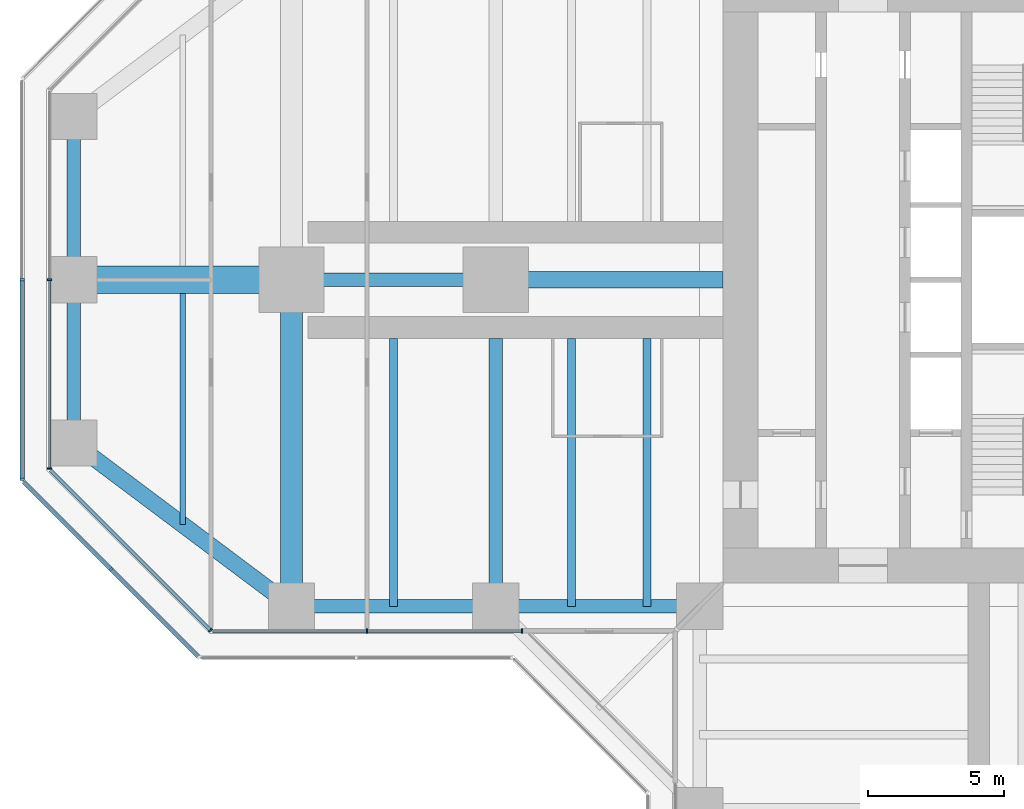
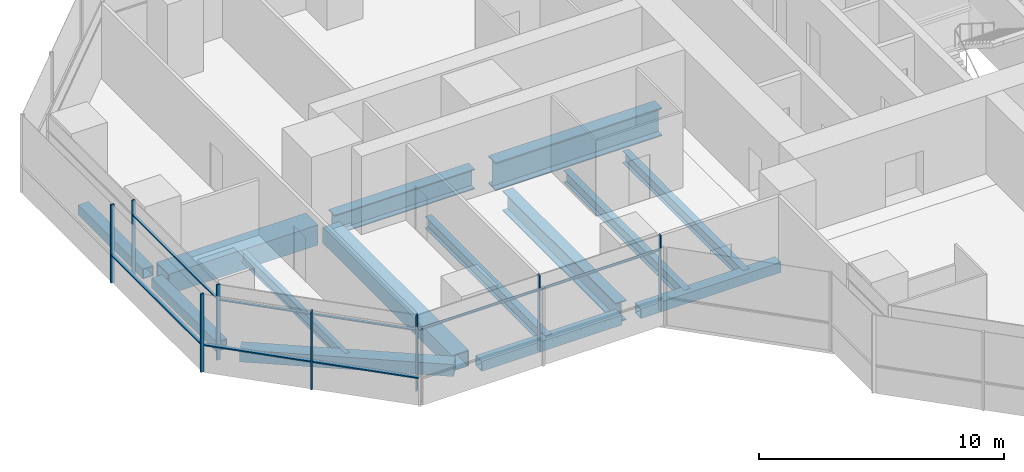
# One storey, part 3 of 20: 15 members, 14 beams, 5 elements without a shape of their own.
"""IFC4 building model written with IfcOpenShell, lengths in metres."""

import ifcopenshell
import ifcopenshell.guid

model = None  # the IFC model being written
_history = None  # IfcOwnerHistory: only IFC2X3 demands one
_inside = {}  # id of a spatial element -> (the spatial element, [elements in it])
_under = {}  # id of a project, library or spatial element -> (it, [spatial elements below it])
_declared = {}  # id of a project -> (the project, [libraries it declares])
_typed = {}  # id of a type object -> (the type object, [elements of that type])
_made_of = {}  # id of a material, layer set ... -> (it, [elements and type objects made of it])


def new_model(schema):
    """Start an empty IFC model of exactly this schema.

    Asked for "IFC4X3", IfcOpenShell would pick the latest addendum, in which some entities
    have other attributes; the version numbers below select the first issue.
    IFC2X3 requires an IfcOwnerHistory on every rooted entity: one is made here for all.
    """
    global model, _history
    if schema == "IFC4X3":
        model = ifcopenshell.file(schema_version=(4, 3, 0, 0))
    else:
        model = ifcopenshell.file(schema=schema)
    _inside.clear()
    _under.clear()
    _declared.clear()
    _typed.clear()
    _made_of.clear()
    _history = None
    if model.schema == "IFC2X3":
        org = make("IfcOrganization", Name="unknown")
        user = make(
            "IfcPersonAndOrganization",
            ThePerson=make("IfcPerson", FamilyName="unknown"),
            TheOrganization=org,
        )
        app = make(
            "IfcApplication",
            ApplicationDeveloper=org,
            Version="unknown",
            ApplicationFullName="unknown",
            ApplicationIdentifier="unknown",
        )
        _history = make(
            "IfcOwnerHistory",
            OwningUser=user,
            OwningApplication=app,
            ChangeAction="ADDED",
            CreationDate=0,
        )
    return model


def make(cls, **values):
    """One entity of the class cls with the attributes given. An attribute that is None is left unset."""
    return model.create_entity(
        cls, **{name: value for name, value in values.items() if value is not None}
    )


def rooted(cls, **values):
    """An entity with a GlobalId (a new one), such as an element, a storey or a relation."""
    return make(cls, GlobalId=ifcopenshell.guid.new(), OwnerHistory=_history, **values)


def si_unit(unit_type, name, prefix=None):
    """IfcSIUnit, for example si_unit("LENGTHUNIT", "METRE", prefix="MILLI")."""
    return make("IfcSIUnit", UnitType=unit_type, Prefix=prefix, Name=name)


def assignment(units):
    """IfcUnitAssignment: the units of a project."""
    return None if units is None else make("IfcUnitAssignment", Units=units)


def point(xyz):
    """IfcCartesianPoint."""
    return None if xyz is None else make("IfcCartesianPoint", Coordinates=xyz)


def direction(xyz):
    """IfcDirection."""
    return None if xyz is None else make("IfcDirection", DirectionRatios=xyz)


def frame(location, z_axis=None, x_axis=None):
    """IfcAxis2Placement3D, a coordinate frame: its origin and axes. An axis left out is left unset."""
    return make(
        "IfcAxis2Placement3D",
        Location=point(location),
        Axis=direction(z_axis),
        RefDirection=direction(x_axis),
    )


def frame_2d(location, x_axis=None):
    """IfcAxis2Placement2D, a coordinate frame in the plane: its origin and x axis."""
    return make(
        "IfcAxis2Placement2D", Location=point(location), RefDirection=direction(x_axis)
    )


def origin():
    """The frame at (0, 0, 0) with its axes left unset."""
    return frame((0.0, 0.0, 0.0))


def origin_2d():
    """The frame at (0, 0) in the plane with its x axis left unset."""
    return frame_2d((0.0, 0.0))


def place(relative_to, where):
    """IfcLocalPlacement: puts the frame where relative to a parent placement (None: the world)."""
    return make(
        "IfcLocalPlacement", PlacementRelTo=relative_to, RelativePlacement=where
    )


def context(
    kind, dimensions, precision=None, world=None, true_north=None, identifier=None
):
    """IfcGeometricRepresentationContext, for example the 3D "Model" context."""
    return make(
        "IfcGeometricRepresentationContext",
        ContextIdentifier=identifier,
        ContextType=kind,
        CoordinateSpaceDimension=dimensions,
        Precision=precision,
        WorldCoordinateSystem=world,
        TrueNorth=true_north,
    )


def subcontext(parent, identifier, kind, view, scale=None):
    """IfcGeometricRepresentationSubContext, for example "Body" below "Model"."""
    return make(
        "IfcGeometricRepresentationSubContext",
        ContextIdentifier=identifier,
        ContextType=kind,
        ParentContext=parent,
        TargetScale=scale,
        TargetView=view,
    )


def project(units=None, contexts=None):
    """IfcProject with its units and contexts."""
    return rooted(
        "IfcProject",
        Name="project",
        RepresentationContexts=contexts,
        UnitsInContext=assignment(units),
    )


def spatial(cls, under=None, at=None, **own):
    """A site, building, storey or space (cls), placed at a placement, below another one or the project."""
    s = rooted(cls, ObjectPlacement=at, **own)
    if under is not None:
        _under.setdefault(under.id(), (under, []))[1].append(s)
    return s


def profile(cls, at=None, kind="AREA", **sizes):
    """A parametric profile (cls). Its sizes go by their IFC names, for example OverallWidth=200.0."""
    return make(cls, ProfileType=kind, Position=at, **sizes)


def rectangle(**sizes):
    """IfcRectangleProfileDef."""
    return profile("IfcRectangleProfileDef", **sizes)


def hollow_rectangle(**sizes):
    """IfcRectangleHollowProfileDef."""
    return profile("IfcRectangleHollowProfileDef", **sizes)


def i_section(**sizes):
    """IfcIShapeProfileDef."""
    return profile("IfcIShapeProfileDef", **sizes)


def extrude(swept, where, along, depth):
    """IfcExtrudedAreaSolid: the profile swept, set in the frame where, extruded along a direction by depth."""
    return make(
        "IfcExtrudedAreaSolid",
        SweptArea=swept,
        Position=where,
        ExtrudedDirection=direction(along),
        Depth=depth,
    )


def shape(context_of_items, identifier, shape_type, items):
    """IfcShapeRepresentation: the items that make up one representation, for example the "Body"."""
    return make(
        "IfcShapeRepresentation",
        ContextOfItems=context_of_items,
        RepresentationIdentifier=identifier,
        RepresentationType=shape_type,
        Items=items,
    )


def material(Name=None, Category=None):
    """IfcMaterial."""
    return make("IfcMaterial", Name=Name, Category=Category)


def material_profile(
    of_material, cross_section, Name=None, Category=None, Priority=None
):
    """IfcMaterialProfile: a cross section and its material."""
    return make(
        "IfcMaterialProfile",
        Name=Name,
        Material=of_material,
        Profile=cross_section,
        Priority=Priority,
        Category=Category,
    )


def profile_set(profiles, Name=None, composite=None):
    """IfcMaterialProfileSet."""
    return make(
        "IfcMaterialProfileSet",
        Name=Name,
        MaterialProfiles=profiles,
        CompositeProfile=composite,
    )


def made_of(thing, what):
    """Note that an element or type object is made of a material, layer set ...; save() writes the relation."""
    if what is not None:
        _made_of.setdefault(what.id(), (what, []))[1].append(thing)
    return thing


def type_object(cls, material=None, **own):
    """A type object (cls), such as IfcWallType, which elements share."""
    return made_of(rooted(cls, **own), material)


def element(
    cls,
    number,
    at=None,
    inside=None,
    cuts=None,
    type_object=None,
    material=None,
    context=None,
    identifier="Body",
    shape_type=None,
    held_by="IfcProductDefinitionShape",
    body=None,
    shapes=None,
    **own,
):
    """One element of the class cls, such as IfcWall. Its Tag is "e" and its number.

    at: its placement. inside: the storey or other place that contains it. cuts: it is an
    opening in that element (IfcRelVoidsElement). A single representation is given by context,
    identifier, shape_type and body (its items); several are given by shapes. held_by: the class
    of the entity that holds the representations. save() writes the other relations.
    """
    e = rooted(cls, Tag="e%d" % number, ObjectPlacement=at, **own)
    if body is not None:
        shapes = [shape(context, identifier, shape_type, body)]
    if shapes is not None:
        e.Representation = make(held_by, Representations=shapes)
    if inside is not None:
        _inside.setdefault(inside.id(), (inside, []))[1].append(e)
    if cuts is not None:
        rooted(
            "IfcRelVoidsElement", RelatingBuildingElement=cuts, RelatedOpeningElement=e
        )
    if type_object is not None:
        _typed.setdefault(type_object.id(), (type_object, []))[1].append(e)
    return made_of(e, material)


def aggregate(whole, parts):
    """IfcRelAggregates: a whole, such as a stair, and the parts it consists of."""
    return rooted("IfcRelAggregates", RelatingObject=whole, RelatedObjects=parts)


def save(model, path):
    """Write the relations noted so far, then the file.

    IfcRelAggregates (storeys below a building ...), IfcRelContainedInSpatialStructure (elements
    in a storey), IfcRelDefinesByType, IfcRelAssociatesMaterial and IfcRelDeclares: one each for
    every whole, place, type object, material and project.
    """
    for whole, parts in _under.values():
        aggregate(whole, parts)
    for where, things in _inside.values():
        rooted(
            "IfcRelContainedInSpatialStructure",
            RelatedElements=things,
            RelatingStructure=where,
        )
    for kind, things in _typed.values():
        rooted("IfcRelDefinesByType", RelatedObjects=things, RelatingType=kind)
    for what, things in _made_of.values():
        rooted("IfcRelAssociatesMaterial", RelatedObjects=things, RelatingMaterial=what)
    for by, libraries in _declared.values():
        rooted("IfcRelDeclares", RelatingContext=by, RelatedDefinitions=libraries)
    model.write(path)


model = new_model("IFC4")

# Units and contexts
model_context = context("Model", 3, precision=1e-05, world=origin(), true_north=direction((0.0, 1.0)))
body_context = subcontext(model_context, "Body", "Model", "MODEL_VIEW")
ifc_project = project(units=[si_unit("LENGTHUNIT", "METRE"), si_unit("AREAUNIT", "SQUARE_METRE"), si_unit("VOLUMEUNIT", "CUBIC_METRE"), si_unit("PLANEANGLEUNIT", "RADIAN"), si_unit("MASSUNIT", "GRAM", prefix="KILO")], contexts=[model_context])

# Site, building, storey
site_placement = place(None, origin())
site = spatial("IfcSite", under=ifc_project, at=site_placement, CompositionType="ELEMENT")
building_placement = place(site_placement, origin())
building = spatial("IfcBuilding", under=site, at=building_placement, Name="Mizan Broadcast Tower", CompositionType="ELEMENT")
storey_placement = place(building_placement, frame((0.0, 0.0, 147.60009765625)))
storey = spatial("IfcBuildingStorey", under=building, at=storey_placement, Name="L33", CompositionType="ELEMENT", Elevation=147.60009765625)

# Beams
ifc_material_1 = material(Name="Steel S355", Category="steel")
ifc_material_profile_1 = material_profile(ifc_material_1, hollow_rectangle(XDim=0.5, YDim=0.5, WallThickness=0.030029296875, at=origin_2d()), Name="BOX 500x500x30")
ifc_profile_set_1 = profile_set([ifc_material_profile_1], Name="Steel S355")
beam_type_1 = type_object("IfcBeamType", Name="EDGE BEAM BOX 500x500x30", PredefinedType="SPANDREL", material=ifc_profile_set_1)
beam_1_placement = place(storey_placement, frame((-35.0, 5.639892578125, -0.380126953125), z_axis=(0.0, -1.0, 0.0), x_axis=(1.0, 0.0, 0.0)))
element("IfcBeam", 1, at=beam_1_placement, inside=storey, type_object=beam_type_1, Name="Edge beam BOX 500x500x30 L33 west arm", PredefinedType="SPANDREL", context=body_context, shape_type="SweptSolid", body=[
    extrude(hollow_rectangle(XDim=0.5, YDim=0.5, WallThickness=0.030029296875, at=origin_2d()), origin(), (0.0, 0.0, 1.0), 5.27978515625),
])
for number, where, z_axis, x_axis, name in (
    (2, (-12.449951171875, -12.0, -0.380126953125), (-1.0, 0.0, 0.0), (0.0, -1.0, 0.0), "Edge beam BOX 500x500x30 L33 west arm"),
    (3, (-19.949951171875, -12.0, -0.380126953125), (-1.0, 0.0, 0.0), (0.0, -1.0, 0.0), "Edge beam BOX 500x500x30 L33 west arm"),
):
    element("IfcBeam", number, at=place(storey_placement, frame(where, z_axis=z_axis, x_axis=x_axis)), inside=storey, type_object=beam_type_1, Name=name, PredefinedType="SPANDREL", context=body_context, shape_type="SweptSolid", body=[
        extrude(hollow_rectangle(XDim=0.5, YDim=0.5, WallThickness=0.030029296875, at=origin_2d()), origin(), (0.0, 0.0, 1.0), 6.60009765625),
    ])
beam_2_placement = place(storey_placement, frame((-35.0, -5.639892578125, -0.380126953125), z_axis=(0.0, 1.0, 0.0), x_axis=(-1.0, 0.0, 0.0)))
element("IfcBeam", 4, at=beam_2_placement, inside=storey, type_object=beam_type_1, Name="Edge beam BOX 500x500x30 L33 west arm", PredefinedType="SPANDREL", context=body_context, shape_type="SweptSolid", body=[
    extrude(hollow_rectangle(XDim=0.5, YDim=0.5, WallThickness=0.030029296875, at=origin_2d()), origin(), (0.0, 0.0, 1.0), 5.27978515625),
])
ifc_material_2 = material(Name="Steel S355", Category="steel")
ifc_material_profile_2 = material_profile(ifc_material_2, hollow_rectangle(XDim=0.60009765625, YDim=0.60009765625, WallThickness=0.030029296875, at=origin_2d()), Name="BOX 600x600x30")
ifc_profile_set_2 = profile_set([ifc_material_profile_2], Name="Steel S355")
beam_type_2 = type_object("IfcBeamType", Name="EDGE BEAM BOX 600x600x30", PredefinedType="SPANDREL", material=ifc_profile_set_2)
beam_3_placement = place(storey_placement, frame((-27.47998046875, -11.639892578125, -0.43017578125), z_axis=(-0.800013316712, 0.599982243973, 0.0), x_axis=(-0.599982243973, -0.800013316712, 0.0)))
element("IfcBeam", 5, at=beam_3_placement, inside=storey, type_object=beam_type_2, Name="Edge beam BOX 600x600x30 L33 west arm", PredefinedType="SPANDREL", context=body_context, shape_type="SweptSolid", body=[
    extrude(hollow_rectangle(XDim=0.60009765625, YDim=0.60009765625, WallThickness=0.030029296875, at=origin_2d()), origin(), (0.0, 0.0, 1.0), 8.7998046875),
])
ifc_material_3 = material(Name="Steel S460", Category="steel")
ifc_material_profile_3 = material_profile(ifc_material_3, hollow_rectangle(XDim=1.0, YDim=1.0, WallThickness=0.06005859375, at=origin_2d()), Name="BOX 1000x1000x60")
ifc_profile_set_3 = profile_set([ifc_material_profile_3], Name="Steel S460")
beam_type_3 = type_object("IfcBeamType", Name="GIRDER BOX 1000x1000x60", PredefinedType="BEAM", material=ifc_profile_set_3)
beam_4_placement = place(storey_placement, frame((-27.47998046875, 0.0, -0.630126953125), z_axis=(-1.0, 0.0, 0.0), x_axis=(0.0, -1.0, 0.0)))
element("IfcBeam", 6, at=beam_4_placement, inside=storey, type_object=beam_type_3, Name="Girder BOX 1000x1000x60 L33 west arm", PredefinedType="BEAM", context=body_context, shape_type="SweptSolid", body=[
    extrude(hollow_rectangle(XDim=1.0, YDim=1.0, WallThickness=0.06005859375, at=origin_2d()), origin(), (0.0, 0.0, 1.0), 7.0400390625),
])
ifc_material_4 = material(Name="Steel S460", Category="steel")
ifc_material_profile_4 = material_profile(ifc_material_4, hollow_rectangle(XDim=0.800048828125, YDim=0.800048828125, WallThickness=0.050048828125, at=origin_2d()), Name="BOX 800x800x50")
ifc_profile_set_4 = profile_set([ifc_material_profile_4], Name="Steel S460")
beam_type_4 = type_object("IfcBeamType", Name="GIRDER BOX 800x800x50", PredefinedType="BEAM", material=ifc_profile_set_4)
beam_5_placement = place(storey_placement, frame((-27.0, -11.280029296875, -0.530029296875), z_axis=(0.0, 1.0, 0.0), x_axis=(-1.0, 0.0, 0.0)))
element("IfcBeam", 7, at=beam_5_placement, inside=storey, type_object=beam_type_4, Name="Girder BOX 800x800x50 L33 west arm", PredefinedType="BEAM", context=body_context, shape_type="SweptSolid", body=[
    extrude(hollow_rectangle(XDim=0.800048828125, YDim=0.800048828125, WallThickness=0.050048828125, at=origin_2d()), origin(), (0.0, 0.0, 1.0), 10.56005859375),
])
ifc_material_5 = material(Name="Steel S460", Category="steel")
ifc_material_profile_5 = material_profile(ifc_material_5, i_section(OverallWidth=0.5, OverallDepth=1.0, WebThickness=0.02490234375, FlangeThickness=0.050048828125, at=origin_2d()), Name="WPG 1000x500")
ifc_profile_set_5 = profile_set([ifc_material_profile_5], Name="Steel S460")
beam_type_5 = type_object("IfcBeamType", Name="GIRDER WPG 1000x500", PredefinedType="BEAM", material=ifc_profile_set_5)
beam_6_placement = place(storey_placement, frame((-19.949951171875, 0.0, -0.630126953125), z_axis=(-1.0, 0.0, 0.0), x_axis=(0.0, -1.0, 0.0)))
element("IfcBeam", 8, at=beam_6_placement, inside=storey, type_object=beam_type_5, Name="Girder WPG 1000x500 L33 west arm", PredefinedType="BEAM", context=body_context, shape_type="SweptSolid", body=[
    extrude(i_section(OverallWidth=0.5, OverallDepth=1.0, WebThickness=0.02490234375, FlangeThickness=0.050048828125, at=origin_2d()), origin(), (0.0, 0.0, 1.0), 6.60009765625),
])
beam_7_placement = place(storey_placement, frame((-19.5, -11.408935546875, -0.630126953125), z_axis=(0.0, 1.0, 0.0), x_axis=(-1.0, 0.0, 0.0)))
element("IfcBeam", 9, at=beam_7_placement, inside=storey, type_object=beam_type_5, Name="Girder WPG 1000x500 L33 west arm", PredefinedType="BEAM", context=body_context, shape_type="SweptSolid", body=[
    extrude(i_section(OverallWidth=0.5, OverallDepth=1.0, WebThickness=0.02490234375, FlangeThickness=0.050048828125, at=origin_2d()), origin(), (0.0, 0.0, 1.0), 9.259033203125),
])
ifc_material_6 = material(Name="Steel S460", Category="steel")
ifc_material_profile_6 = material_profile(ifc_material_6, i_section(OverallWidth=0.60009765625, OverallDepth=1.39990234375, WebThickness=0.02490234375, FlangeThickness=0.06005859375, at=origin_2d()), Name="WPG 1400x600")
ifc_profile_set_6 = profile_set([ifc_material_profile_6], Name="Steel S460")
beam_type_6 = type_object("IfcBeamType", Name="GIRDER WPG 1400x600", PredefinedType="BEAM", material=ifc_profile_set_6)
beam_8_placement = place(storey_placement, frame((-11.14990234375, 0.0, -0.830078125), z_axis=(-1.0, 0.0, 0.0), x_axis=(0.0, -1.0, 0.0)))
element("IfcBeam", 10, at=beam_8_placement, inside=storey, type_object=beam_type_6, Name="Girder WPG 1400x600 L33 west arm", PredefinedType="BEAM", context=body_context, shape_type="SweptSolid", body=[
    extrude(i_section(OverallWidth=0.60009765625, OverallDepth=1.39990234375, WebThickness=0.02490234375, FlangeThickness=0.06005859375, at=origin_2d()), origin(), (0.0, 0.0, 1.0), 7.84912109375),
])

# Curtain wall, members
ifc_material_7 = material(Name="Aluminium framed glazing", Category="aluminium")
curtain_wall_type_1 = type_object("IfcCurtainWallType", Name="INNER SKIN MID ZONE", PredefinedType="USERDEFINED", material=ifc_material_7)
curtain_wall_1_placement = place(storey_placement, origin())
curtain_wall_1 = element("IfcCurtainWall", 11, at=curtain_wall_1_placement, inside=storey, type_object=curtain_wall_type_1, Name="Inner skin mid zone L33 W end", ObjectType="INNER SKIN MID ZONE", PredefinedType="USERDEFINED")
ifc_material_8 = material(Name="Aluminium, pale anodised", Category="aluminium")
ifc_material_profile_7 = material_profile(ifc_material_8, rectangle(XDim=0.159912109375, YDim=0.06005859375, at=origin_2d()), Name="MULLION 160x60")
ifc_profile_set_7 = profile_set([ifc_material_profile_7], Name="Aluminium, pale anodised")
member_type_1 = type_object("IfcMemberType", Name="INNER SKIN MULLION 60x160", PredefinedType="MULLION", material=ifc_profile_set_7)
member_1_placement = place(storey_placement, frame((-35.89990234375, 0.0, 0.0), z_axis=(0.0, 0.0, 1.0), x_axis=(1.0, 0.0, 0.0)))
member_1 = element("IfcMember", 12, at=member_1_placement, type_object=member_type_1, Name="Inner skin mid zone L33 W end mullion 2", PredefinedType="MULLION", context=body_context, shape_type="SweptSolid", body=[
    extrude(rectangle(XDim=0.159912109375, YDim=0.06005859375, at=origin_2d()), origin(), (0.0, 0.0, 1.0), 3.77001953125),
])
member_2_placement = place(storey_placement, frame((-35.89990234375, -6.928466796875, 0.0), z_axis=(0.0, 0.0, 1.0), x_axis=(1.0, 0.0, 0.0)))
member_2 = element("IfcMember", 13, at=member_2_placement, type_object=member_type_1, Name="Inner skin mid zone L33 W end mullion 3", PredefinedType="MULLION", context=body_context, shape_type="SweptSolid", body=[
    extrude(rectangle(XDim=0.159912109375, YDim=0.06005859375, at=origin_2d()), origin(), (0.0, 0.0, 1.0), 3.77001953125),
])

# Curtain wall, member
curtain_wall_2_placement = place(storey_placement, origin())
curtain_wall_2 = element("IfcCurtainWall", 14, at=curtain_wall_2_placement, inside=storey, type_object=curtain_wall_type_1, Name="Inner skin mid zone L33 W chamfer", ObjectType="INNER SKIN MID ZONE", PredefinedType="USERDEFINED")
member_3_placement = place(storey_placement, frame((-29.979736328125, -12.87890625, 0.0), z_axis=(0.0, 0.0, 1.0), x_axis=(0.707106781187, 0.707106781187, 0.0)))
member_3 = element("IfcMember", 15, at=member_3_placement, type_object=member_type_1, Name="Inner skin mid zone L33 W chamfer mullion 2", PredefinedType="MULLION", context=body_context, shape_type="SweptSolid", body=[
    extrude(rectangle(XDim=0.159912109375, YDim=0.06005859375, at=origin_2d()), origin(), (0.0, 0.0, 1.0), 3.77001953125),
])

# Curtain wall, members
curtain_wall_3_placement = place(storey_placement, origin())
curtain_wall_3 = element("IfcCurtainWall", 16, at=curtain_wall_3_placement, inside=storey, type_object=curtain_wall_type_1, Name="Inner skin mid zone L33 W side", ObjectType="INNER SKIN MID ZONE", PredefinedType="USERDEFINED")
member_4_placement = place(storey_placement, frame((-24.229248046875, -12.89990234375, 0.0), z_axis=(0.0, 0.0, 1.0), x_axis=(0.0, 1.0, 0.0)))
member_4 = element("IfcMember", 17, at=member_4_placement, type_object=member_type_1, Name="Inner skin mid zone L33 W side mullion 2", PredefinedType="MULLION", context=body_context, shape_type="SweptSolid", body=[
    extrude(rectangle(XDim=0.159912109375, YDim=0.06005859375, at=origin_2d()), origin(), (0.0, 0.0, 1.0), 3.77001953125),
])
member_5_placement = place(storey_placement, frame((-18.530029296875, -12.89990234375, 0.0), z_axis=(0.0, 0.0, 1.0), x_axis=(0.0, 1.0, 0.0)))
member_5 = element("IfcMember", 18, at=member_5_placement, type_object=member_type_1, Name="Inner skin mid zone L33 W side mullion 3", PredefinedType="MULLION", context=body_context, shape_type="SweptSolid", body=[
    extrude(rectangle(XDim=0.159912109375, YDim=0.06005859375, at=origin_2d()), origin(), (0.0, 0.0, 1.0), 3.77001953125),
])

# Member
ifc_material_9 = material(Name="Aluminium, pale anodised", Category="aluminium")
ifc_material_profile_8 = material_profile(ifc_material_9, rectangle(XDim=0.1201171875, YDim=0.06005859375, at=origin_2d()), Name="TRANSOM 120x60")
ifc_profile_set_8 = profile_set([ifc_material_profile_8], Name="Aluminium, pale anodised")
member_type_2 = type_object("IfcMemberType", Name="INNER SKIN TRANSOM 60x120", PredefinedType="USERDEFINED", material=ifc_profile_set_8)
member_6_placement = place(storey_placement, frame((-35.89990234375, -0.030029296875, 3.02978515625), z_axis=(0.0, -1.0, 0.0), x_axis=(1.0, 0.0, 0.0)))
member_6 = element("IfcMember", 19, at=member_6_placement, type_object=member_type_2, Name="Inner skin mid zone L33 W end transom 2.1", ObjectType="TRANSOM", PredefinedType="USERDEFINED", context=body_context, shape_type="SweptSolid", body=[
    extrude(rectangle(XDim=0.1201171875, YDim=0.06005859375, at=origin_2d()), origin(), (0.0, 0.0, 1.0), 6.86865234375),
])

aggregate(curtain_wall_1, [member_1, member_2, member_6])

member_7_placement = place(storey_placement, frame((-35.857666015625, -7.0009765625, 3.02978515625), z_axis=(0.707106781187, -0.707106781187, 0.0), x_axis=(0.707106781187, 0.707106781187, 0.0)))
member_7 = element("IfcMember", 20, at=member_7_placement, type_object=member_type_2, Name="Inner skin mid zone L33 W chamfer transom 1.1", ObjectType="TRANSOM", PredefinedType="USERDEFINED", context=body_context, shape_type="SweptSolid", body=[
    extrude(rectangle(XDim=0.1201171875, YDim=0.06005859375, at=origin_2d()), origin(), (0.0, 0.0, 1.0), 8.28271484375),
])

aggregate(curtain_wall_2, [member_3, member_7])

member_8_placement = place(storey_placement, frame((-29.898681640625, -12.89990234375, 3.02978515625), z_axis=(1.0, 0.0, 0.0), x_axis=(0.0, 1.0, 0.0)))
member_8 = element("IfcMember", 21, at=member_8_placement, type_object=member_type_2, Name="Inner skin mid zone L33 W side transom 1.1", ObjectType="TRANSOM", PredefinedType="USERDEFINED", context=body_context, shape_type="SweptSolid", body=[
    extrude(rectangle(XDim=0.1201171875, YDim=0.06005859375, at=origin_2d()), origin(), (0.0, 0.0, 1.0), 5.639404296875),
])

member_9_placement = place(storey_placement, frame((-24.19921875, -12.89990234375, 3.02978515625), z_axis=(1.0, 0.0, 0.0), x_axis=(0.0, 1.0, 0.0)))
member_9 = element("IfcMember", 22, at=member_9_placement, type_object=member_type_2, Name="Inner skin mid zone L33 W side transom 2.1", ObjectType="TRANSOM", PredefinedType="USERDEFINED", context=body_context, shape_type="SweptSolid", body=[
    extrude(rectangle(XDim=0.1201171875, YDim=0.06005859375, at=origin_2d()), origin(), (0.0, 0.0, 1.0), 5.63916015625),
])

aggregate(curtain_wall_3, [member_4, member_5, member_8, member_9])

# Curtain wall, members
ifc_material_10 = material(Name="Aluminium framed glazing", Category="aluminium")
curtain_wall_type_2 = type_object("IfcCurtainWallType", Name="OUTER SKIN", PredefinedType="USERDEFINED", material=ifc_material_10)
curtain_wall_4_placement = place(storey_placement, origin())
curtain_wall_4 = element("IfcCurtainWall", 23, at=curtain_wall_4_placement, inside=storey, type_object=curtain_wall_type_2, Name="Outer skin L33 W end", ObjectType="OUTER SKIN", PredefinedType="USERDEFINED")
ifc_material_11 = material(Name="Aluminium, pale anodised", Category="aluminium")
ifc_material_profile_9 = material_profile(ifc_material_11, rectangle(XDim=0.159912109375, YDim=0.080078125, at=origin_2d()), Name="MULLION 160x80")
ifc_profile_set_9 = profile_set([ifc_material_profile_9], Name="Aluminium, pale anodised")
member_type_3 = type_object("IfcMemberType", Name="OUTER SKIN MULLION 80x160", PredefinedType="MULLION", material=ifc_profile_set_9)
member_10_placement = place(storey_placement, frame((-36.89990234375, 0.0, 0.0), z_axis=(0.0, 0.0, 1.0), x_axis=(1.0, 0.0, 0.0)))
member_10 = element("IfcMember", 24, at=member_10_placement, type_object=member_type_3, Name="Outer skin L33 W end mullion 2", PredefinedType="MULLION", context=body_context, shape_type="SweptSolid", body=[
    extrude(rectangle(XDim=0.159912109375, YDim=0.080078125, at=origin_2d()), origin(), (0.0, 0.0, 1.0), 3.89990234375),
])
member_11_placement = place(storey_placement, frame((-36.89990234375, -7.332763671875, 0.0), z_axis=(0.0, 0.0, 1.0), x_axis=(1.0, 0.0, 0.0)))
member_11 = element("IfcMember", 25, at=member_11_placement, type_object=member_type_3, Name="Outer skin L33 W end mullion 3", PredefinedType="MULLION", context=body_context, shape_type="SweptSolid", body=[
    extrude(rectangle(XDim=0.159912109375, YDim=0.080078125, at=origin_2d()), origin(), (0.0, 0.0, 1.0), 3.89990234375),
])

# Curtain wall, member
curtain_wall_5_placement = place(storey_placement, origin())
curtain_wall_5 = element("IfcCurtainWall", 26, at=curtain_wall_5_placement, inside=storey, type_object=curtain_wall_type_2, Name="Outer skin L33 W chamfer", ObjectType="OUTER SKIN", PredefinedType="USERDEFINED")
member_12_placement = place(storey_placement, frame((-33.636474609375, -10.636474609375, 0.0), z_axis=(0.0, 0.0, 1.0), x_axis=(0.707106781187, 0.707106781187, 0.0)))
member_12 = element("IfcMember", 27, at=member_12_placement, type_object=member_type_3, Name="Outer skin L33 W chamfer mullion 2", PredefinedType="MULLION", context=body_context, shape_type="SweptSolid", body=[
    extrude(rectangle(XDim=0.159912109375, YDim=0.080078125, at=origin_2d()), origin(), (0.0, 0.0, 1.0), 3.89990234375),
])

# Member
ifc_material_12 = material(Name="Aluminium, pale anodised", Category="aluminium")
ifc_material_profile_10 = material_profile(ifc_material_12, rectangle(XDim=0.159912109375, YDim=0.06005859375, at=origin_2d()), Name="TRANSOM 160x60")
ifc_profile_set_10 = profile_set([ifc_material_profile_10], Name="Aluminium, pale anodised")
member_type_4 = type_object("IfcMemberType", Name="OUTER SKIN TRANSOM 60x160", PredefinedType="USERDEFINED", material=ifc_profile_set_10)
member_13_placement = place(storey_placement, frame((-36.89990234375, -0.0400390625, 1.39990234375), z_axis=(0.0, -1.0, 0.0), x_axis=(1.0, 0.0, 0.0)))
member_13 = element("IfcMember", 28, at=member_13_placement, type_object=member_type_4, Name="Outer skin L33 W end transom 2.1", ObjectType="TRANSOM", PredefinedType="USERDEFINED", context=body_context, shape_type="SweptSolid", body=[
    extrude(rectangle(XDim=0.159912109375, YDim=0.06005859375, at=origin_2d()), origin(), (0.0, 0.0, 1.0), 7.252685546875),
])

aggregate(curtain_wall_4, [member_10, member_11, member_13])

member_14_placement = place(storey_placement, frame((-36.843505859375, -7.429443359375, 1.39990234375), z_axis=(0.707106781187, -0.707106781187, 0.0), x_axis=(0.707106781187, 0.707106781187, 0.0)))
member_14 = element("IfcMember", 29, at=member_14_placement, type_object=member_type_4, Name="Outer skin L33 W chamfer transom 1.1", ObjectType="TRANSOM", PredefinedType="USERDEFINED", context=body_context, shape_type="SweptSolid", body=[
    extrude(rectangle(XDim=0.159912109375, YDim=0.06005859375, at=origin_2d()), origin(), (0.0, 0.0, 1.0), 4.495361328125),
])

member_15_placement = place(storey_placement, frame((-33.608154296875, -10.664794921875, 1.39990234375), z_axis=(0.707106781187, -0.707106781187, 0.0), x_axis=(0.707106781187, 0.707106781187, 0.0)))
member_15 = element("IfcMember", 30, at=member_15_placement, type_object=member_type_4, Name="Outer skin L33 W chamfer transom 2.1", ObjectType="TRANSOM", PredefinedType="USERDEFINED", context=body_context, shape_type="SweptSolid", body=[
    extrude(rectangle(XDim=0.159912109375, YDim=0.06005859375, at=origin_2d()), origin(), (0.0, 0.0, 1.0), 4.495361328125),
])

aggregate(curtain_wall_5, [member_12, member_14, member_15])

# Beams
ifc_material_13 = material(Name="Steel S355", Category="steel")
ifc_material_profile_11 = material_profile(ifc_material_13, i_section(OverallWidth=0.300048828125, OverallDepth=0.590087890625, WebThickness=0.012939453125, FlangeThickness=0.02490234375, FilletRadius=0.027099609375, at=origin_2d()), Name="HEA 600")
ifc_profile_set_11 = profile_set([ifc_material_profile_11], Name="Steel S355")
beam_type_7 = type_object("IfcBeamType", Name="SECONDARY BEAM HEA 600", PredefinedType="JOIST", material=ifc_profile_set_11)
for number, where, z_axis, x_axis, name in (
    (31, (-13.933349609375, -12.0, -0.425048828125), (0.0, 1.0, 0.0), (-1.0, 0.0, 0.0), "Secondary beam HEA 600 L33 west arm"),
    (32, (-16.716552734375, -12.0, -0.425048828125), (0.0, 1.0, 0.0), (-1.0, 0.0, 0.0), "Secondary beam HEA 600 L33 west arm"),
    (33, (-23.25, -12.0, -0.425048828125), (0.0, 1.0, 0.0), (-1.0, 0.0, 0.0), "Secondary beam HEA 600 L33 west arm"),
):
    element("IfcBeam", number, at=place(storey_placement, frame(where, z_axis=z_axis, x_axis=x_axis)), inside=storey, type_object=beam_type_7, Name=name, PredefinedType="JOIST", context=body_context, shape_type="SweptSolid", body=[
        extrude(i_section(OverallWidth=0.300048828125, OverallDepth=0.590087890625, WebThickness=0.012939453125, FlangeThickness=0.02490234375, FilletRadius=0.027099609375, at=origin_2d()), origin(), (0.0, 0.0, 1.0), 9.85009765625),
    ])
ifc_material_14 = material(Name="Steel S355", Category="steel")
ifc_material_profile_12 = material_profile(ifc_material_14, i_section(OverallWidth=0.2099609375, OverallDepth=0.550048828125, WebThickness=0.010986328125, FlangeThickness=0.01708984375, FilletRadius=0.02392578125, at=origin_2d()), Name="IPE 550")
ifc_profile_set_12 = profile_set([ifc_material_profile_12], Name="Steel S355")
beam_type_8 = type_object("IfcBeamType", Name="SECONDARY BEAM IPE 550", PredefinedType="JOIST", material=ifc_profile_set_12)
beam_9_placement = place(storey_placement, frame((-31.0, -9.0, -0.405029296875), z_axis=(0.0, 1.0, 0.0), x_axis=(-1.0, 0.0, 0.0)))
element("IfcBeam", 34, at=beam_9_placement, inside=storey, type_object=beam_type_8, Name="Secondary beam IPE 550 L33 west arm", PredefinedType="JOIST", context=body_context, shape_type="SweptSolid", body=[
    extrude(i_section(OverallWidth=0.2099609375, OverallDepth=0.550048828125, WebThickness=0.010986328125, FlangeThickness=0.01708984375, FilletRadius=0.02392578125, at=origin_2d()), origin(), (0.0, 0.0, 1.0), 8.5),
])

save(model, "model.ifc")
